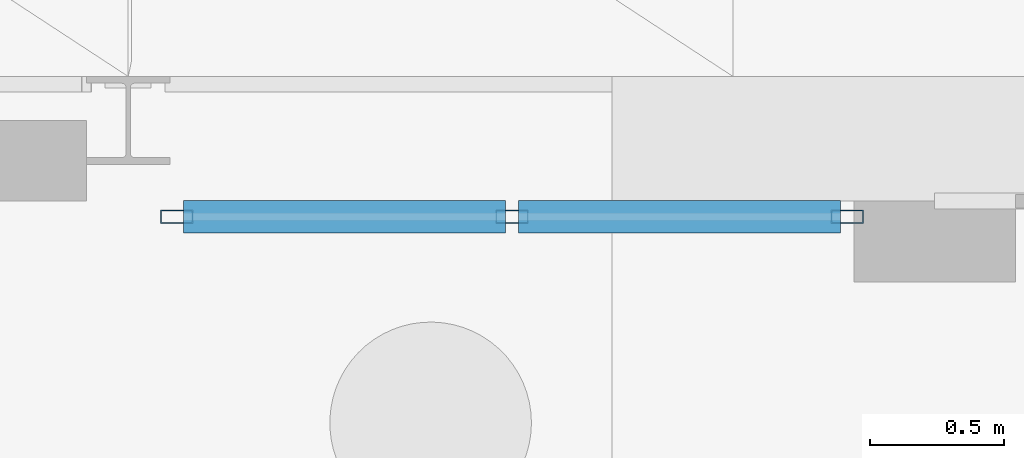
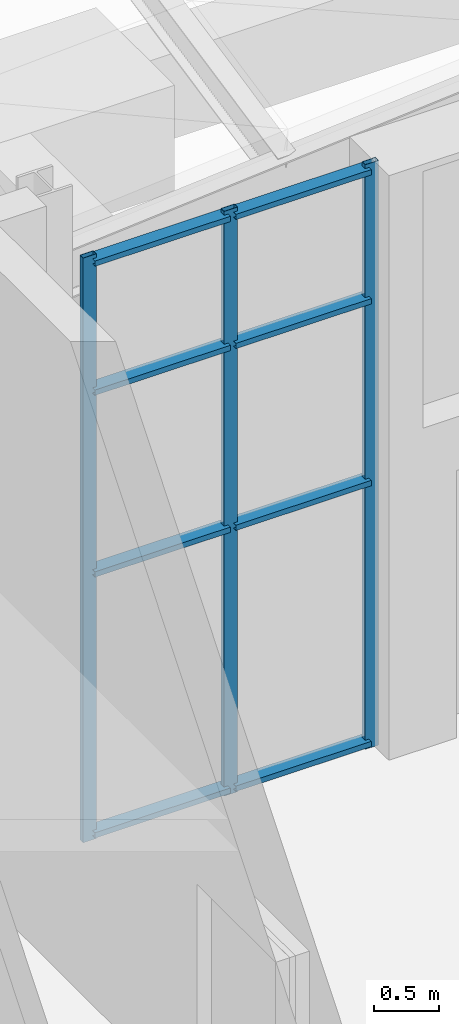
# One storey, part 71 of 139: 11 members, 1 element without a shape of its own.
"""IFC4 building model written with IfcOpenShell, lengths in metres."""

from ifc_helpers import new_model, si_unit, direction, frame, origin, origin_2d, place, context, subcontext, project, spatial, hollow_rectangle, extrude, material, layer, layer_set, material_profile, profile_set, type_object, element, aggregate, save


model = new_model("IFC4")

# Units and contexts
model_context = context("Model", 3, precision=1e-05, world=origin(), true_north=direction((0.0, 1.0)))
body_context = subcontext(model_context, "Body", "Model", "MODEL_VIEW")
ifc_project = project(units=[si_unit("LENGTHUNIT", "METRE"), si_unit("AREAUNIT", "SQUARE_METRE"), si_unit("VOLUMEUNIT", "CUBIC_METRE"), si_unit("PLANEANGLEUNIT", "RADIAN"), si_unit("MASSUNIT", "GRAM", prefix="KILO")], contexts=[model_context])

# Site, building, storey
site_placement = place(None, origin())
site = spatial("IfcSite", under=ifc_project, at=site_placement, CompositionType="ELEMENT")
building_placement = place(site_placement, origin())
building = spatial("IfcBuilding", under=site, at=building_placement, Name="Shorebreak Coast Museum", CompositionType="ELEMENT")
storey_placement = place(building_placement, origin())
storey = spatial("IfcBuildingStorey", under=building, at=storey_placement, Name="L00", CompositionType="ELEMENT", Elevation=0.0)

# Curtain wall, members
ifc_material_1 = material(Name="Aluminium", Category="aluminium")
ifc_layer = layer(ifc_material_1, 0.1201171875)
ifc_layer_set = layer_set([ifc_layer], Name="Aluminium")
curtain_wall_type = type_object("IfcCurtainWallType", Name="Entrance sidelight curtain wall", PredefinedType="NOTDEFINED", material=ifc_layer_set)
curtain_wall_placement = place(storey_placement, origin())
curtain_wall = element("IfcCurtainWall", 1, at=curtain_wall_placement, inside=storey, type_object=curtain_wall_type, Name="Entrance glazing ENT-N 5", PredefinedType="NOTDEFINED")
ifc_material_2 = material(Name="Aluminium", Category="aluminium")
ifc_material_profile_1 = material_profile(ifc_material_2, hollow_rectangle(XDim=0.050048828125, YDim=0.1201171875, WallThickness=0.0029296875, at=origin_2d()), Name="AL 120x50 RHS")
ifc_profile_set_1 = profile_set([ifc_material_profile_1], Name="Aluminium")
member_type_1 = type_object("IfcMemberType", Name="Entrance mullion 50 x 120", PredefinedType="MULLION", material=ifc_profile_set_1)
member_1_placement = place(storey_placement, frame((72.180419921875, 116.6416015625, 0.0), z_axis=(0.0, 0.0, 1.0), x_axis=(0.0, 1.0, 0.0)))
member_1 = element("IfcMember", 2, at=member_1_placement, type_object=member_type_1, Name="CW2 mullion 1", PredefinedType="MULLION", context=body_context, shape_type="SweptSolid", body=[
    extrude(hollow_rectangle(XDim=0.050048828125, YDim=0.1201171875, WallThickness=0.0029296875, at=origin_2d()), origin(), (0.0, 0.0, 1.0), 5.46630859375),
])
member_2_placement = place(storey_placement, frame((73.427734375, 116.6416015625, 0.0), z_axis=(0.0, 0.0, 1.0), x_axis=(0.0, 1.0, 0.0)))
member_2 = element("IfcMember", 3, at=member_2_placement, type_object=member_type_1, Name="CW2 mullion 2", PredefinedType="MULLION", context=body_context, shape_type="SweptSolid", body=[
    extrude(hollow_rectangle(XDim=0.050048828125, YDim=0.1201171875, WallThickness=0.0029296875, at=origin_2d()), origin(), (0.0, 0.0, 1.0), 5.46630859375),
])
member_3_placement = place(storey_placement, frame((74.675048828125, 116.6416015625, 0.0), z_axis=(0.0, 0.0, 1.0), x_axis=(0.0, 1.0, 0.0)))
member_3 = element("IfcMember", 4, at=member_3_placement, type_object=member_type_1, Name="CW2 mullion 3", PredefinedType="MULLION", context=body_context, shape_type="SweptSolid", body=[
    extrude(hollow_rectangle(XDim=0.050048828125, YDim=0.1201171875, WallThickness=0.0029296875, at=origin_2d()), origin(), (0.0, 0.0, 1.0), 5.46630859375),
])
ifc_material_3 = material(Name="Aluminium", Category="aluminium")
ifc_material_profile_2 = material_profile(ifc_material_3, hollow_rectangle(XDim=0.1201171875, YDim=0.050048828125, WallThickness=0.0029296875, at=origin_2d()), Name="AL 50x120 RHS")
ifc_profile_set_2 = profile_set([ifc_material_profile_2], Name="Aluminium")
member_type_2 = type_object("IfcMemberType", Name="Entrance transom 120 x 50", PredefinedType="USERDEFINED", material=ifc_profile_set_2)
member_4_placement = place(storey_placement, frame((72.20556640625, 116.6416015625, 0.06005859375), z_axis=(1.0, 0.0, 0.0), x_axis=(0.0, 1.0, 0.0)))
member_4 = element("IfcMember", 5, at=member_4_placement, type_object=member_type_2, Name="CW2 transom 1.1", ObjectType="TRANSOM", PredefinedType="USERDEFINED", context=body_context, shape_type="SweptSolid", body=[
    extrude(hollow_rectangle(XDim=0.1201171875, YDim=0.050048828125, WallThickness=0.0029296875, at=origin_2d()), origin(), (0.0, 0.0, 1.0), 1.197265625),
])
member_5_placement = place(storey_placement, frame((72.20556640625, 116.6416015625, 2.5), z_axis=(1.0, 0.0, 0.0), x_axis=(0.0, 1.0, 0.0)))
member_5 = element("IfcMember", 6, at=member_5_placement, type_object=member_type_2, Name="CW2 transom 1.2", ObjectType="TRANSOM", PredefinedType="USERDEFINED", context=body_context, shape_type="SweptSolid", body=[
    extrude(hollow_rectangle(XDim=0.1201171875, YDim=0.050048828125, WallThickness=0.0029296875, at=origin_2d()), origin(), (0.0, 0.0, 1.0), 1.197265625),
])
member_6_placement = place(storey_placement, frame((72.20556640625, 116.6416015625, 4.199951171875), z_axis=(1.0, 0.0, 0.0), x_axis=(0.0, 1.0, 0.0)))
member_6 = element("IfcMember", 7, at=member_6_placement, type_object=member_type_2, Name="CW2 transom 1.3", ObjectType="TRANSOM", PredefinedType="USERDEFINED", context=body_context, shape_type="SweptSolid", body=[
    extrude(hollow_rectangle(XDim=0.1201171875, YDim=0.050048828125, WallThickness=0.0029296875, at=origin_2d()), origin(), (0.0, 0.0, 1.0), 1.197265625),
])
member_7_placement = place(storey_placement, frame((72.20556640625, 116.6416015625, 5.406494140625), z_axis=(1.0, 0.0, 0.0), x_axis=(0.0, 1.0, 0.0)))
member_7 = element("IfcMember", 8, at=member_7_placement, type_object=member_type_2, Name="CW2 transom 1.4", ObjectType="TRANSOM", PredefinedType="USERDEFINED", context=body_context, shape_type="SweptSolid", body=[
    extrude(hollow_rectangle(XDim=0.1201171875, YDim=0.050048828125, WallThickness=0.0029296875, at=origin_2d()), origin(), (0.0, 0.0, 1.0), 1.197265625),
])
member_8_placement = place(storey_placement, frame((73.45263671875, 116.6416015625, 0.06005859375), z_axis=(1.0, 0.0, 0.0), x_axis=(0.0, 1.0, 0.0)))
member_8 = element("IfcMember", 9, at=member_8_placement, type_object=member_type_2, Name="CW2 transom 2.1", ObjectType="TRANSOM", PredefinedType="USERDEFINED", context=body_context, shape_type="SweptSolid", body=[
    extrude(hollow_rectangle(XDim=0.1201171875, YDim=0.050048828125, WallThickness=0.0029296875, at=origin_2d()), origin(), (0.0, 0.0, 1.0), 1.197265625),
])
member_9_placement = place(storey_placement, frame((73.45263671875, 116.6416015625, 2.5), z_axis=(1.0, 0.0, 0.0), x_axis=(0.0, 1.0, 0.0)))
member_9 = element("IfcMember", 10, at=member_9_placement, type_object=member_type_2, Name="CW2 transom 2.2", ObjectType="TRANSOM", PredefinedType="USERDEFINED", context=body_context, shape_type="SweptSolid", body=[
    extrude(hollow_rectangle(XDim=0.1201171875, YDim=0.050048828125, WallThickness=0.0029296875, at=origin_2d()), origin(), (0.0, 0.0, 1.0), 1.197265625),
])
member_10_placement = place(storey_placement, frame((73.45263671875, 116.6416015625, 4.199951171875), z_axis=(1.0, 0.0, 0.0), x_axis=(0.0, 1.0, 0.0)))
member_10 = element("IfcMember", 11, at=member_10_placement, type_object=member_type_2, Name="CW2 transom 2.3", ObjectType="TRANSOM", PredefinedType="USERDEFINED", context=body_context, shape_type="SweptSolid", body=[
    extrude(hollow_rectangle(XDim=0.1201171875, YDim=0.050048828125, WallThickness=0.0029296875, at=origin_2d()), origin(), (0.0, 0.0, 1.0), 1.197265625),
])
member_11_placement = place(storey_placement, frame((73.45263671875, 116.6416015625, 5.406494140625), z_axis=(1.0, 0.0, 0.0), x_axis=(0.0, 1.0, 0.0)))
member_11 = element("IfcMember", 12, at=member_11_placement, type_object=member_type_2, Name="CW2 transom 2.4", ObjectType="TRANSOM", PredefinedType="USERDEFINED", context=body_context, shape_type="SweptSolid", body=[
    extrude(hollow_rectangle(XDim=0.1201171875, YDim=0.050048828125, WallThickness=0.0029296875, at=origin_2d()), origin(), (0.0, 0.0, 1.0), 1.197265625),
])
aggregate(curtain_wall, [member_1, member_2, member_3, member_4, member_5, member_6, member_7, member_8, member_9, member_10, member_11])

save(model, "model.ifc")
